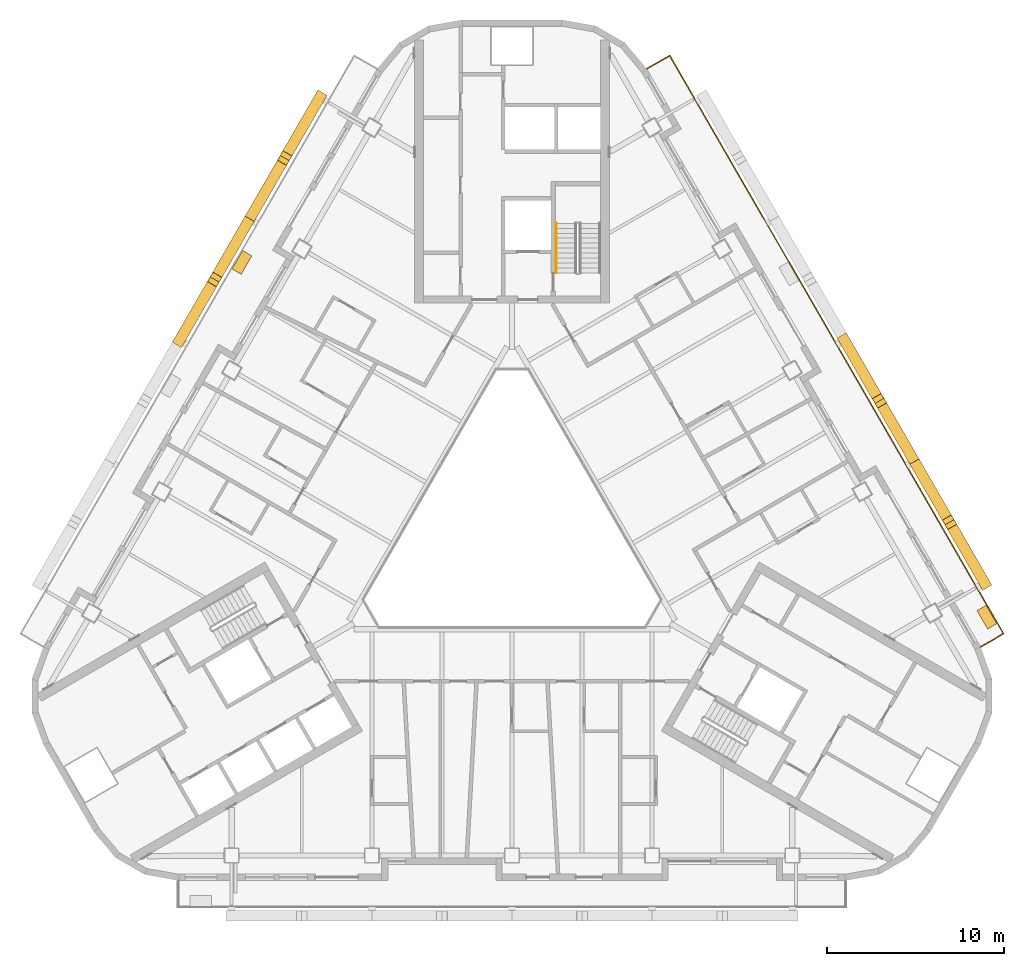
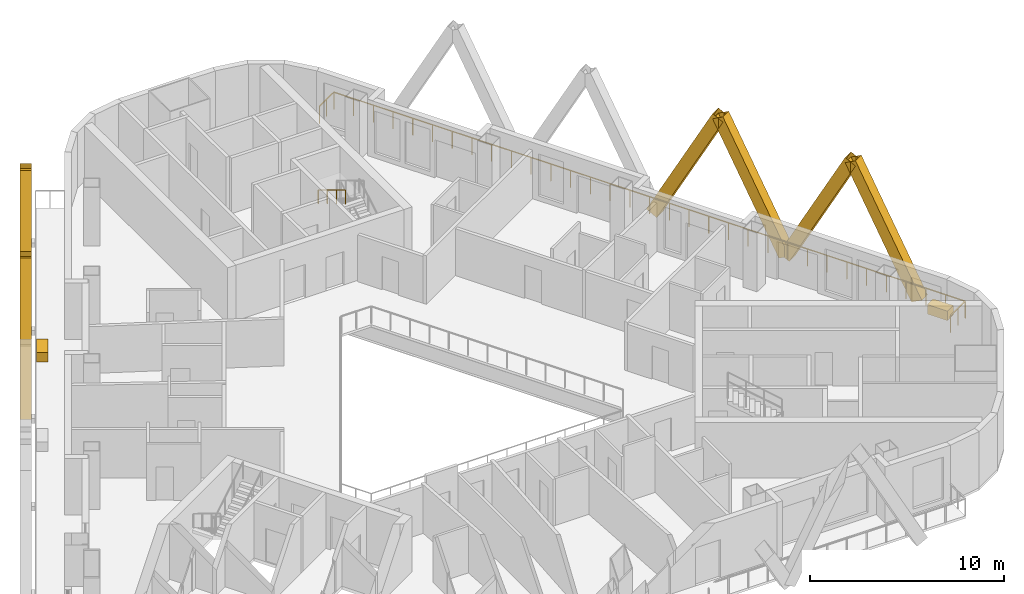
# One storey, part 16 of 17: 8 shading devices, 2 coverings, 2 railings.
"""IFC4 building model written with IfcOpenShell, lengths in metres."""

from ifc_helpers import new_model, si_unit, direction, frame, origin, origin_2d, place, context, subcontext, project, spatial, rectangle, hollow_rectangle, circle, extrude, material, material_profile, profile_set, type_object, element, save


model = new_model("IFC4")

# Units and contexts
model_context = context("Model", 3, precision=1e-05, world=origin(), true_north=direction((0.0, 1.0)))
body_context = subcontext(model_context, "Body", "Model", "MODEL_VIEW")
ifc_project = project(units=[si_unit("LENGTHUNIT", "METRE"), si_unit("AREAUNIT", "SQUARE_METRE"), si_unit("VOLUMEUNIT", "CUBIC_METRE"), si_unit("PLANEANGLEUNIT", "RADIAN"), si_unit("MASSUNIT", "GRAM", prefix="KILO")], contexts=[model_context])

# Site, building, storey
site_placement = place(None, origin())
site = spatial("IfcSite", under=ifc_project, at=site_placement, CompositionType="ELEMENT")
building_placement = place(site_placement, origin())
building = spatial("IfcBuilding", under=site, at=building_placement, Name="Apuvela Tower Hotel", CompositionType="ELEMENT")
storey_placement = place(building_placement, frame((0.0, 0.0, 146.60009765625)))
storey = spatial("IfcBuildingStorey", under=building, at=storey_placement, Name="L34", CompositionType="ELEMENT", Elevation=146.60009765625)

# Railing
ifc_material_1 = material(Name="Stainless steel 316 handrail", Category="steel")
railing_type_1 = type_object("IfcRailingType", Name="COR-HANDRAIL-900", PredefinedType="HANDRAIL", material=ifc_material_1)
railing_1_placement = place(storey_placement, frame((2.5, 17.39990234375, 2.01806640625)))
element("IfcRailing", 1, at=railing_1_placement, inside=storey, type_object=railing_type_1, Name="L34 ST1 stair handrail 2", PredefinedType="HANDRAIL", context=body_context, shape_type="SweptSolid", body=[
    extrude(circle(Radius=0.02392578125, at=origin_2d()), frame((0.0, 0.0, 0.8759765625), z_axis=(0.0, -0.857222391501, 0.514946377315), x_axis=(1.0, 0.0, 0.0)), (0.0, 0.0, 1.0), 3.26611328125),
    extrude(rectangle(XDim=0.0419921875, YDim=0.0419921875, at=origin_2d()), origin(), (0.0, 0.0, 1.0), 0.851806640625),
    extrude(rectangle(XDim=0.0419921875, YDim=0.0419921875, at=origin_2d()), frame((0.0, -0.933349609375, 0.560546875)), (0.0, 0.0, 1.0), 0.851806640625),
    extrude(rectangle(XDim=0.0419921875, YDim=0.0419921875, at=origin_2d()), frame((0.0, -1.866455078125, 1.121337890625)), (0.0, 0.0, 1.0), 0.851806640625),
    extrude(rectangle(XDim=0.0419921875, YDim=0.0419921875, at=origin_2d()), frame((0.0, -2.7998046875, 1.681884765625)), (0.0, 0.0, 1.0), 0.851806640625),
])

# Shading devices
ifc_material_2 = material(Name="Aluminium 6063-T6, black anodised", Category="aluminium")
ifc_material_profile = material_profile(ifc_material_2, hollow_rectangle(XDim=0.60009765625, YDim=0.699951171875, WallThickness=0.011962890625, at=origin_2d()), Name="AL BOX 700x600x12")
ifc_profile_set = profile_set([ifc_material_profile], Name="Aluminium 6063-T6, black anodised")
shading_device_type = type_object("IfcShadingDeviceType", Name="ENV-FIN-700x600", PredefinedType="USERDEFINED", material=ifc_profile_set)
for number, where, z_axis, x_axis, name in (
    (2, (26.632080078125, -2.8681640625, -0.10009765625), (-0.235463880167, 0.407797827568, 0.882189148067), (-0.866005453737, -0.500034552904, 0.0), "Lattice fin NE337"),
    (3, (22.68212890625, 3.973388671875, -0.10009765625), (0.235433593518, -0.407824887177, 0.882184722404), (0.866047669374, 0.499961432884, 0.0), "Lattice fin NE338"),
    (4, (22.68212890625, 3.973388671875, -0.10009765625), (-0.235461085354, 0.407822092458, 0.882178677019), (-0.866020906874, -0.500007788796, 0.0), "Lattice fin NE339"),
):
    element("IfcShadingDevice", number, at=place(storey_placement, frame(where, z_axis=z_axis, x_axis=x_axis)), inside=storey, type_object=shading_device_type, Name=name, ObjectType="FIN", PredefinedType="USERDEFINED", context=body_context, shape_type="SweptSolid", body=[
        extrude(hollow_rectangle(XDim=0.60009765625, YDim=0.699951171875, WallThickness=0.011962890625, at=origin_2d()), origin(), (0.0, 0.0, 1.0), 8.38818359375),
    ])
shading_device_placement = place(storey_placement, frame((18.732177734375, 10.81494140625, -0.10009765625), z_axis=(0.235436388043, -0.407800622186, 0.882195193667), x_axis=(0.866032218625, 0.499988196164, 0.0)))
element("IfcShadingDevice", 5, at=shading_device_placement, inside=storey, type_object=shading_device_type, Name="Lattice fin NE340", ObjectType="FIN", PredefinedType="USERDEFINED", context=body_context, shape_type="SweptSolid", body=[
    extrude(hollow_rectangle(XDim=0.60009765625, YDim=0.699951171875, WallThickness=0.011962890625, at=origin_2d()), origin(), (0.0, 0.0, 1.0), 8.387939453125),
])
for number, where, z_axis, x_axis, name in (
    (6, (-10.83203125, 24.498291015625, -0.10009765625), (-0.235461085354, -0.407822092458, 0.882178677019), (0.866020906874, -0.500007788796, 0.0), "Lattice fin NW385"),
    (7, (-14.781982421875, 17.656494140625, -0.10009765625), (0.235433593518, 0.407824887177, 0.882184722404), (-0.866047669374, 0.499961432884, 0.0), "Lattice fin NW386"),
    (8, (-14.781982421875, 17.656494140625, -0.10009765625), (-0.235463880167, -0.407797827568, 0.882189148067), (0.866005453737, -0.500034552904, 0.0), "Lattice fin NW387"),
    (9, (-18.732177734375, 10.81494140625, -0.10009765625), (0.235461085354, 0.407822092458, 0.882178677019), (-0.866020906874, 0.500007788796, 0.0), "Lattice fin NW388"),
):
    element("IfcShadingDevice", number, at=place(storey_placement, frame(where, z_axis=z_axis, x_axis=x_axis)), inside=storey, type_object=shading_device_type, Name=name, ObjectType="FIN", PredefinedType="USERDEFINED", context=body_context, shape_type="SweptSolid", body=[
        extrude(hollow_rectangle(XDim=0.60009765625, YDim=0.699951171875, WallThickness=0.011962890625, at=origin_2d()), origin(), (0.0, 0.0, 1.0), 8.38818359375),
    ])

# Railing
ifc_material_3 = material(Name="Stainless steel 316 rail with laminated glass infill", Category="steel")
railing_type_2 = type_object("IfcRailingType", Name="ENV-GUARD-1100", PredefinedType="GUARDRAIL", material=ifc_material_3)
railing_2_placement = place(storey_placement, frame((26.407958984375, -6.47998046875, 0.0)))
element("IfcRailing", 10, at=railing_2_placement, inside=storey, type_object=railing_type_2, Name="Balcony guard NE L34", PredefinedType="GUARDRAIL", context=body_context, shape_type="SweptSolid", body=[
    extrude(rectangle(XDim=0.050048828125, YDim=0.050048828125, at=origin_2d()), frame((0.0, 0.0, 1.0751953125), z_axis=(0.866031096941, 0.499990139034, 0.0), x_axis=(-0.499990139034, 0.866031096941, 0.0)), (0.0, 0.0, 1.0), 1.5),
    extrude(rectangle(XDim=0.050048828125, YDim=0.050048828125, at=origin_2d()), frame((1.299072265625, 0.75, 1.0751953125), z_axis=(-0.500000437506, 0.86602515119, 0.0), x_axis=(-0.86602515119, -0.500000437506, 0.0)), (0.0, 0.0, 1.0), 37.6318359375),
    extrude(rectangle(XDim=0.050048828125, YDim=0.050048828125, at=origin_2d()), frame((-17.516845703125, 33.340087890625, 1.0751953125), z_axis=(-0.86599040064, -0.500060622324, 0.0), x_axis=(0.500060622324, -0.86599040064, 0.0)), (0.0, 0.0, 1.0), 1.499755859375),
    extrude(rectangle(XDim=0.0400390625, YDim=0.0400390625, at=origin_2d()), origin(), (0.0, 0.0, 1.0), 1.050048828125),
    extrude(rectangle(XDim=0.0400390625, YDim=0.0400390625, at=origin_2d()), frame((0.6494140625, 0.375, 0.0)), (0.0, 0.0, 1.0), 1.050048828125),
    extrude(rectangle(XDim=0.0400390625, YDim=0.0400390625, at=origin_2d()), frame((1.299072265625, 0.75, 0.0)), (0.0, 0.0, 1.0), 1.050048828125),
    extrude(rectangle(XDim=0.0400390625, YDim=0.0400390625, at=origin_2d()), frame((0.711181640625, 1.7685546875, 0.0)), (0.0, 0.0, 1.0), 1.050048828125),
    extrude(rectangle(XDim=0.0400390625, YDim=0.0400390625, at=origin_2d()), frame((0.123046875, 2.786865234375, 0.0)), (0.0, 0.0, 1.0), 1.050048828125),
    extrude(rectangle(XDim=0.0400390625, YDim=0.0400390625, at=origin_2d()), frame((-0.46484375, 3.805419921875, 0.0)), (0.0, 0.0, 1.0), 1.050048828125),
    extrude(rectangle(XDim=0.0400390625, YDim=0.0400390625, at=origin_2d()), frame((-1.052978515625, 4.82373046875, 0.0)), (0.0, 0.0, 1.0), 1.050048828125),
    extrude(rectangle(XDim=0.0400390625, YDim=0.0400390625, at=origin_2d()), frame((-1.640869140625, 5.84228515625, 0.0)), (0.0, 0.0, 1.0), 1.050048828125),
    extrude(rectangle(XDim=0.0400390625, YDim=0.0400390625, at=origin_2d()), frame((-2.22900390625, 6.860595703125, 0.0)), (0.0, 0.0, 1.0), 1.050048828125),
    extrude(rectangle(XDim=0.0400390625, YDim=0.0400390625, at=origin_2d()), frame((-2.81689453125, 7.879150390625, 0.0)), (0.0, 0.0, 1.0), 1.050048828125),
    extrude(rectangle(XDim=0.0400390625, YDim=0.0400390625, at=origin_2d()), frame((-3.40478515625, 8.8974609375, 0.0)), (0.0, 0.0, 1.0), 1.050048828125),
    extrude(rectangle(XDim=0.0400390625, YDim=0.0400390625, at=origin_2d()), frame((-3.992919921875, 9.916015625, 0.0)), (0.0, 0.0, 1.0), 1.050048828125),
    extrude(rectangle(XDim=0.0400390625, YDim=0.0400390625, at=origin_2d()), frame((-4.580810546875, 10.934326171875, 0.0)), (0.0, 0.0, 1.0), 1.050048828125),
    extrude(rectangle(XDim=0.0400390625, YDim=0.0400390625, at=origin_2d()), frame((-5.1689453125, 11.952880859375, 0.0)), (0.0, 0.0, 1.0), 1.050048828125),
    extrude(rectangle(XDim=0.0400390625, YDim=0.0400390625, at=origin_2d()), frame((-5.7568359375, 12.97119140625, 0.0)), (0.0, 0.0, 1.0), 1.050048828125),
    extrude(rectangle(XDim=0.0400390625, YDim=0.0400390625, at=origin_2d()), frame((-6.344970703125, 13.98974609375, 0.0)), (0.0, 0.0, 1.0), 1.050048828125),
    extrude(rectangle(XDim=0.0400390625, YDim=0.0400390625, at=origin_2d()), frame((-6.932861328125, 15.008056640625, 0.0)), (0.0, 0.0, 1.0), 1.050048828125),
    extrude(rectangle(XDim=0.0400390625, YDim=0.0400390625, at=origin_2d()), frame((-7.52099609375, 16.026611328125, 0.0)), (0.0, 0.0, 1.0), 1.050048828125),
    extrude(rectangle(XDim=0.0400390625, YDim=0.0400390625, at=origin_2d()), frame((-8.10888671875, 17.044921875, 0.0)), (0.0, 0.0, 1.0), 1.050048828125),
    extrude(rectangle(XDim=0.0400390625, YDim=0.0400390625, at=origin_2d()), frame((-8.69677734375, 18.0634765625, 0.0)), (0.0, 0.0, 1.0), 1.050048828125),
    extrude(rectangle(XDim=0.0400390625, YDim=0.0400390625, at=origin_2d()), frame((-9.284912109375, 19.08203125, 0.0)), (0.0, 0.0, 1.0), 1.050048828125),
    extrude(rectangle(XDim=0.0400390625, YDim=0.0400390625, at=origin_2d()), frame((-9.872802734375, 20.100341796875, 0.0)), (0.0, 0.0, 1.0), 1.050048828125),
    extrude(rectangle(XDim=0.0400390625, YDim=0.0400390625, at=origin_2d()), frame((-10.4609375, 21.118896484375, 0.0)), (0.0, 0.0, 1.0), 1.050048828125),
    extrude(rectangle(XDim=0.0400390625, YDim=0.0400390625, at=origin_2d()), frame((-11.048828125, 22.13720703125, 0.0)), (0.0, 0.0, 1.0), 1.050048828125),
    extrude(rectangle(XDim=0.0400390625, YDim=0.0400390625, at=origin_2d()), frame((-11.636962890625, 23.15576171875, 0.0)), (0.0, 0.0, 1.0), 1.050048828125),
    extrude(rectangle(XDim=0.0400390625, YDim=0.0400390625, at=origin_2d()), frame((-12.224853515625, 24.174072265625, 0.0)), (0.0, 0.0, 1.0), 1.050048828125),
    extrude(rectangle(XDim=0.0400390625, YDim=0.0400390625, at=origin_2d()), frame((-12.81298828125, 25.192626953125, 0.0)), (0.0, 0.0, 1.0), 1.050048828125),
    extrude(rectangle(XDim=0.0400390625, YDim=0.0400390625, at=origin_2d()), frame((-13.40087890625, 26.2109375, 0.0)), (0.0, 0.0, 1.0), 1.050048828125),
    extrude(rectangle(XDim=0.0400390625, YDim=0.0400390625, at=origin_2d()), frame((-13.98876953125, 27.2294921875, 0.0)), (0.0, 0.0, 1.0), 1.050048828125),
    extrude(rectangle(XDim=0.0400390625, YDim=0.0400390625, at=origin_2d()), frame((-14.576904296875, 28.247802734375, 0.0)), (0.0, 0.0, 1.0), 1.050048828125),
    extrude(rectangle(XDim=0.0400390625, YDim=0.0400390625, at=origin_2d()), frame((-15.164794921875, 29.266357421875, 0.0)), (0.0, 0.0, 1.0), 1.050048828125),
    extrude(rectangle(XDim=0.0400390625, YDim=0.0400390625, at=origin_2d()), frame((-15.7529296875, 30.28466796875, 0.0)), (0.0, 0.0, 1.0), 1.050048828125),
    extrude(rectangle(XDim=0.0400390625, YDim=0.0400390625, at=origin_2d()), frame((-16.3408203125, 31.30322265625, 0.0)), (0.0, 0.0, 1.0), 1.050048828125),
    extrude(rectangle(XDim=0.0400390625, YDim=0.0400390625, at=origin_2d()), frame((-16.928955078125, 32.321533203125, 0.0)), (0.0, 0.0, 1.0), 1.050048828125),
    extrude(rectangle(XDim=0.0400390625, YDim=0.0400390625, at=origin_2d()), frame((-17.516845703125, 33.340087890625, 0.0)), (0.0, 0.0, 1.0), 1.050048828125),
    extrude(rectangle(XDim=0.0400390625, YDim=0.0400390625, at=origin_2d()), frame((-18.166259765625, 32.965087890625, 0.0)), (0.0, 0.0, 1.0), 1.050048828125),
    extrude(rectangle(XDim=0.0400390625, YDim=0.0400390625, at=origin_2d()), frame((-18.815673828125, 32.590087890625, 0.0)), (0.0, 0.0, 1.0), 1.050048828125),
])

# Coverings
ifc_material_4 = material(Name="Planting substrate and soil, planted")
covering_type = type_object("IfcCoveringType", Name="ENV-PLANTER-1200x600", PredefinedType="USERDEFINED", material=ifc_material_4)
for number, where, z_axis, x_axis, name in (
    (11, (26.763916015625, -4.79638671875, -0.000244140625), (0.0, 0.0, 1.0), (-0.5, 0.866025403784, 0.0), "Planter NE2"),
    (12, (-15.220947265625, 15.196533203125, -0.000244140625), (0.0, 0.0, 1.0), (-0.5, -0.866025403784, 0.0), "Planter NW4"),
):
    element("IfcCovering", number, at=place(storey_placement, frame(where, z_axis=z_axis, x_axis=x_axis)), inside=storey, type_object=covering_type, Name=name, ObjectType="PLANTER", PredefinedType="USERDEFINED", context=body_context, shape_type="SweptSolid", body=[
        extrude(rectangle(XDim=1.199951171875, YDim=0.60009765625, at=origin_2d()), origin(), (0.0, 0.0, 1.0), 0.60009765625),
    ])

save(model, "model.ifc")
